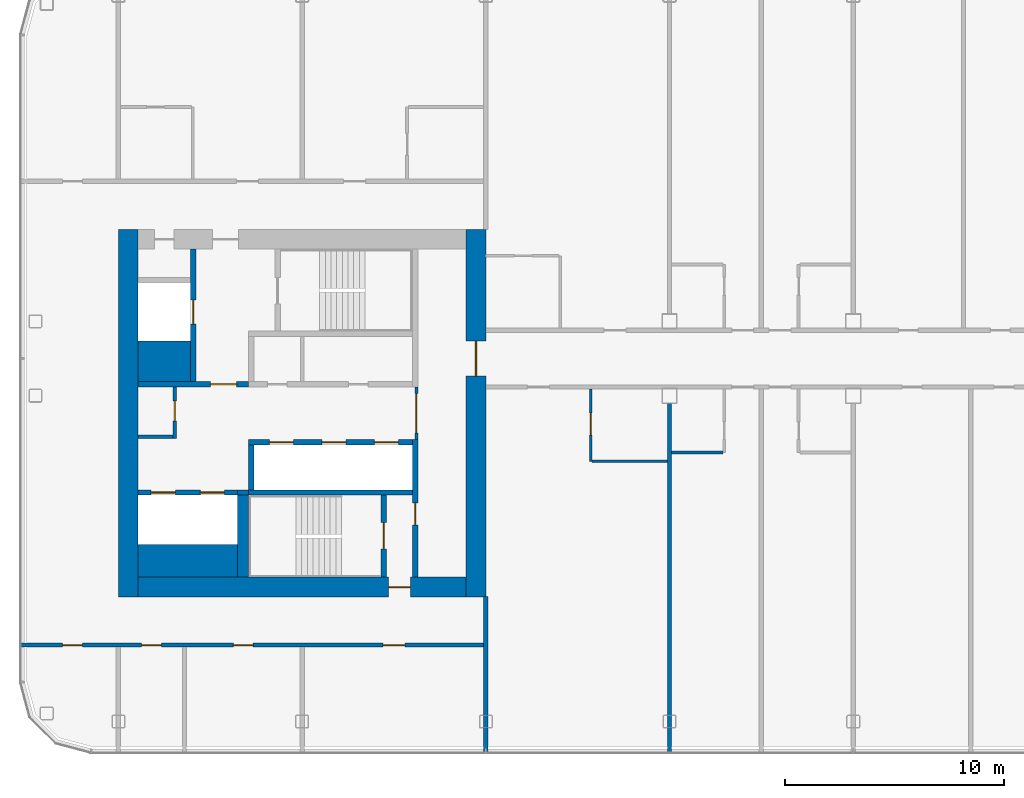
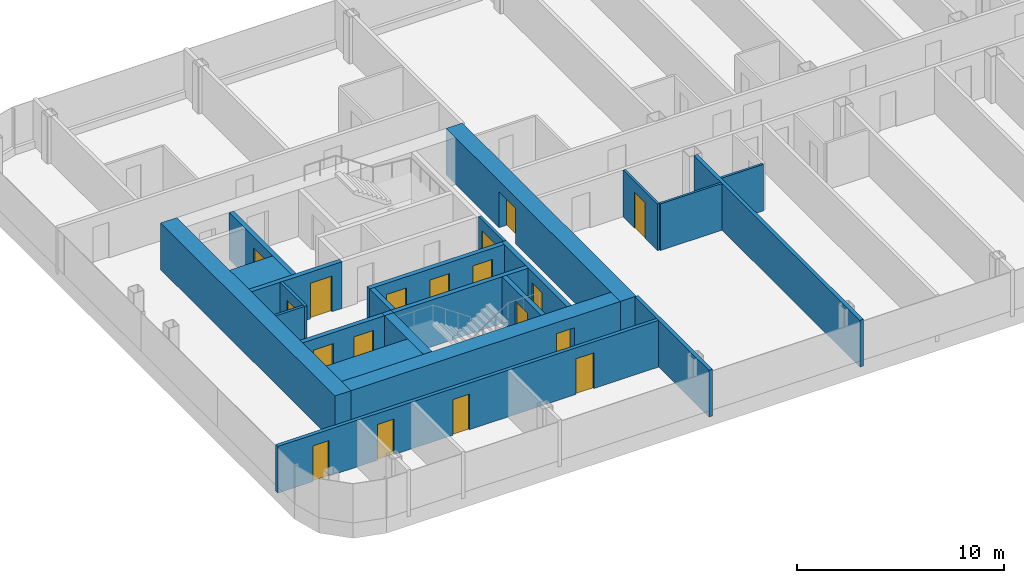
# One storey, part 13 of 26: 24 walls, 18 doors, 18 openings.
"""IFC4 building model written with IfcOpenShell, lengths in metres."""

from ifc_helpers import new_model, si_unit, direction, frame, frame_2d, origin, place, context, subcontext, project, spatial, rectangle, extrude, material, layer, layer_set, type_object, element, fill, save


model = new_model("IFC4")

# Units and contexts
model_context = context("Model", 3, precision=1e-05, world=origin(), true_north=direction((0.0, 1.0)))
body_context = subcontext(model_context, "Body", "Model", "MODEL_VIEW")
ifc_project = project(units=[si_unit("LENGTHUNIT", "METRE"), si_unit("AREAUNIT", "SQUARE_METRE"), si_unit("VOLUMEUNIT", "CUBIC_METRE"), si_unit("PLANEANGLEUNIT", "RADIAN"), si_unit("MASSUNIT", "GRAM", prefix="KILO")], contexts=[model_context])

# Site, building, storey
site_placement = place(None, origin())
site = spatial("IfcSite", under=ifc_project, at=site_placement, CompositionType="ELEMENT")
building_placement = place(site_placement, origin())
building = spatial("IfcBuilding", under=site, at=building_placement, Name="Hakoniwa Tower and Hamabe Station Hall", CompositionType="ELEMENT")
storey_placement = place(building_placement, frame((0.0, 0.0, 209.0)))
storey = spatial("IfcBuildingStorey", under=building, at=storey_placement, Name="L59", CompositionType="ELEMENT", Elevation=209.0)

# Walls
ifc_material_1 = material(Name="Gypsum board partition", Category="gypsum")
ifc_layer_1 = layer(ifc_material_1, 0.125)
ifc_layer_set_1 = layer_set([ifc_layer_1], Name="Bathroom Partition 125")
wall_type_1 = type_object("IfcWallType", Name="Bathroom Partition 125", PredefinedType="PARTITIONING", material=ifc_layer_set_1)
wall_1_placement = place(storey_placement, frame((-11.9375, -2.199951171875, 0.0), z_axis=(0.0, 0.0, 1.0), x_axis=(1.0, 0.0, 0.0)))
element("IfcWall", 1, at=wall_1_placement, inside=storey, type_object=wall_type_1, Name="GW-L59-003", PredefinedType="PARTITIONING", context=body_context, shape_type="SweptSolid", body=[
    extrude(rectangle(XDim=3.4375, YDim=0.125, at=frame_2d((1.71875, 0.0))), origin(), (0.0, 0.0, 1.0), 2.75),
])
wall_2_placement = place(storey_placement, frame((-8.300048828125, -1.800048828125, 0.0), z_axis=(0.0, 0.0, 1.0), x_axis=(1.0, 0.0, 0.0)))
element("IfcWall", 2, at=wall_2_placement, inside=storey, type_object=wall_type_1, Name="GW-L59-004", PredefinedType="PARTITIONING", context=body_context, shape_type="SweptSolid", body=[
    extrude(rectangle(XDim=2.337646484375, YDim=0.125, at=frame_2d((1.1689453125, 0.0))), origin(), (0.0, 0.0, 1.0), 2.75),
])

# Wall, opening, door
wall_3_placement = place(storey_placement, frame((-12.0, -2.199951171875, 0.0), z_axis=(0.0, 0.0, 1.0), x_axis=(0.0, 1.0, 0.0)))
wall_3 = element("IfcWall", 3, at=wall_3_placement, inside=storey, type_object=wall_type_1, Name="GW-L59-032", PredefinedType="PARTITIONING", context=body_context, shape_type="SweptSolid", body=[
    extrude(rectangle(XDim=3.300048828125, YDim=0.125, at=frame_2d((1.64990234375, 0.0))), origin(), (0.0, 0.0, 1.0), 2.75),
])
opening_1_placement = place(wall_3_placement, frame((1.199951171875, 0.0, 0.0)))
opening_1 = element("IfcOpeningElement", 4, at=opening_1_placement, cuts=wall_3, Name="Opening GD-G4C1-35", PredefinedType="OPENING", context=body_context, shape_type="SweptSolid", body=[
    extrude(rectangle(XDim=1.0, YDim=2.10009765625, at=frame_2d((0.5, 1.050048828125))), frame((0.0, 0.072509765625, 0.0), z_axis=(0.0, -1.0, 0.0), x_axis=(1.0, 0.0, 0.0)), (0.0, 0.0, 1.0), 0.14501953125),
])
ifc_material_2 = material(Name="Timber door leaf", Category="wood")
door_type_1 = type_object("IfcDoorType", Name="Accessible Bathroom Door 1000", OperationType="SINGLE_SWING_LEFT", PredefinedType="DOOR", material=ifc_material_2)
door_1_placement = place(opening_1_placement, origin())
door_1 = element("IfcDoor", 5, at=door_1_placement, inside=storey, type_object=door_type_1, Name="Door GD-G4C1-35", OperationType="SINGLE_SWING_RIGHT", OverallHeight=2.10009765625, OverallWidth=1.0, PredefinedType="DOOR", context=body_context, shape_type="SweptSolid", body=[
    extrude(rectangle(XDim=1.0, YDim=2.10009765625, at=frame_2d((0.5, 1.050048828125))), frame((0.0, 0.02490234375, 0.0), z_axis=(0.0, -1.0, 0.0), x_axis=(1.0, 0.0, 0.0)), (0.0, 0.0, 1.0), 0.050048828125),
])
fill(opening_1, door_1)

ifc_material_3 = material(Name="Gypsum board partition")
ifc_layer_2 = layer(ifc_material_3, 0.14990234375)
ifc_layer_set_2 = layer_set([ifc_layer_2], Name="CORE PARTITION 150 EI 60")
wall_type_2 = type_object("IfcWallType", Name="CORE PARTITION 150 EI 60", PredefinedType="PARTITIONING", material=ifc_layer_set_2)
wall_4_placement = place(storey_placement, frame((-19.97509765625, -1.199951171875, 0.0), z_axis=(0.0, 0.0, 1.0), x_axis=(0.0, 1.0, 0.0)))
wall_4 = element("IfcWall", 6, at=wall_4_placement, inside=storey, type_object=wall_type_2, Name="Core partition PL0 west", PredefinedType="PARTITIONING", context=body_context, shape_type="SweptSolid", body=[
    extrude(rectangle(XDim=2.39990234375, YDim=0.14990234375, at=frame_2d((1.199951171875, 0.0))), origin(), (0.0, 0.0, 1.0), 2.75),
])
opening_2_placement = place(wall_4_placement, frame((0.300048828125, 0.0, 0.0)))
opening_2 = element("IfcOpeningElement", 7, at=opening_2_placement, cuts=wall_4, Name="Opening CD-W-LP0-18", PredefinedType="OPENING", context=body_context, shape_type="SweptSolid", body=[
    extrude(rectangle(XDim=1.800048828125, YDim=2.10009765625, at=frame_2d((0.89990234375, 1.050048828125))), frame((0.0, 0.0849609375, 0.0), z_axis=(0.0, -1.0, 0.0), x_axis=(1.0, 0.0, 0.0)), (0.0, 0.0, 1.0), 0.169921875),
])
ifc_material_4 = material(Name="Steel fire door", Category="steel")
door_type_2 = type_object("IfcDoorType", Name="CORE DOOR 1800 FD60", OperationType="DOUBLE_DOOR_SINGLE_SWING", PredefinedType="DOOR", material=ifc_material_4)
door_2_placement = place(opening_2_placement, origin())
door_2 = element("IfcDoor", 8, at=door_2_placement, inside=storey, type_object=door_type_2, Name="Lift lobby partition door", OperationType="DOUBLE_DOOR_SINGLE_SWING", OverallHeight=2.10009765625, OverallWidth=1.800048828125, PredefinedType="DOOR", context=body_context, shape_type="SweptSolid", body=[
    extrude(rectangle(XDim=1.800048828125, YDim=2.10009765625, at=frame_2d((0.89990234375, 1.050048828125))), frame((0.0, 0.02490234375, 0.0), z_axis=(0.0, -1.0, 0.0), x_axis=(1.0, 0.0, 0.0)), (0.0, 0.0, 1.0), 0.050048828125),
])
fill(opening_2, door_2)

wall_5_placement = place(storey_placement, frame((-31.02490234375, -1.14990234375, 0.0), z_axis=(0.0, 0.0, 1.0), x_axis=(0.0, 1.0, 0.0)))
wall_5 = element("IfcWall", 9, at=wall_5_placement, inside=storey, type_object=wall_type_2, Name="Core partition PW0 west", PredefinedType="PARTITIONING", context=body_context, shape_type="SweptSolid", body=[
    extrude(rectangle(XDim=2.349853515625, YDim=0.14990234375, at=frame_2d((1.1748046875, 0.0))), origin(), (0.0, 0.0, 1.0), 2.75),
])
opening_3_placement = place(wall_5_placement, frame((0.800048828125, 0.0, 0.0)))
opening_3 = element("IfcOpeningElement", 10, at=opening_3_placement, cuts=wall_5, Name="Opening CD-W-RM1-9", PredefinedType="OPENING", context=body_context, shape_type="SweptSolid", body=[
    extrude(rectangle(XDim=0.89990234375, YDim=2.10009765625, at=frame_2d((0.449951171875, 1.050048828125))), frame((0.0, 0.0849609375, 0.0), z_axis=(0.0, -1.0, 0.0), x_axis=(1.0, 0.0, 0.0)), (0.0, 0.0, 1.0), 0.169921875),
])
ifc_material_5 = material(Name="Steel fire door", Category="steel")
door_type_3 = type_object("IfcDoorType", Name="CORE DOOR 900 FD30", OperationType="NOTDEFINED", PredefinedType="DOOR", material=ifc_material_5)
door_3_placement = place(opening_3_placement, origin())
door_3 = element("IfcDoor", 11, at=door_3_placement, inside=storey, type_object=door_type_3, Name="Store room door", OperationType="SINGLE_SWING_RIGHT", OverallHeight=2.10009765625, OverallWidth=0.89990234375, PredefinedType="DOOR", context=body_context, shape_type="SweptSolid", body=[
    extrude(rectangle(XDim=0.89990234375, YDim=2.10009765625, at=frame_2d((0.449951171875, 1.050048828125))), frame((0.0, 0.02490234375, 0.0), z_axis=(0.0, -1.0, 0.0), x_axis=(1.0, 0.0, 0.0)), (0.0, 0.0, 1.0), 0.050048828125),
])
fill(opening_3, door_3)

# Wall
wall_6_placement = place(storey_placement, frame((-32.699951171875, -1.074951171875, 0.0), z_axis=(0.0, 0.0, 1.0), x_axis=(1.0, 0.0, 0.0)))
element("IfcWall", 12, at=wall_6_placement, inside=storey, type_object=wall_type_2, Name="Core partition PS west", PredefinedType="PARTITIONING", context=body_context, shape_type="SweptSolid", body=[
    extrude(rectangle(XDim=1.599853515625, YDim=0.14990234375, at=frame_2d((0.7998046875, 0.0))), origin(), (0.0, 0.0, 1.0), 2.75),
])

# Wall, opening, door
ifc_material_6 = material(Name="Concrete C60", Category="concrete")
ifc_layer_3 = layer(ifc_material_6, 0.89990234375)
ifc_layer_set_3 = layer_set([ifc_layer_3], Name="CORE WALL 900 C60")
wall_type_3 = type_object("IfcWallType", Name="CORE WALL 900 C60", PredefinedType="SHEAR", material=ifc_layer_set_3)
wall_7_placement = place(storey_placement, frame((-17.25, -8.39990234375, 0.0), z_axis=(0.0, 0.0, 1.0), x_axis=(0.0, 1.0, 0.0)))
wall_7 = element("IfcWall", 13, at=wall_7_placement, inside=storey, type_object=wall_type_3, Name="Core wall INNER west", PredefinedType="SHEAR", context=body_context, shape_type="SweptSolid", body=[
    extrude(rectangle(XDim=16.7998046875, YDim=0.89990234375, at=frame_2d((8.39990234375, 0.0))), origin(), (0.0, 0.0, 1.0), 2.75),
])
opening_4_placement = place(wall_7_placement, frame((10.10009765625, 0.0, 0.0)))
opening_4 = element("IfcOpeningElement", 14, at=opening_4_placement, cuts=wall_7, Name="Opening CD-W-IN1-16", PredefinedType="OPENING", context=body_context, shape_type="SweptSolid", body=[
    extrude(rectangle(XDim=1.60009765625, YDim=2.10009765625, at=frame_2d((0.800048828125, 1.050048828125))), frame((0.0, 0.4599609375, 0.0), z_axis=(0.0, -1.0, 0.0), x_axis=(1.0, 0.0, 0.0)), (0.0, 0.0, 1.0), 0.919921875),
])
ifc_material_7 = material(Name="Steel fire door", Category="steel")
door_type_4 = type_object("IfcDoorType", Name="CORE DOOR 1600 FD60", OperationType="DOUBLE_DOOR_SINGLE_SWING", PredefinedType="DOOR", material=ifc_material_7)
door_4_placement = place(opening_4_placement, origin())
door_4 = element("IfcDoor", 15, at=door_4_placement, inside=storey, type_object=door_type_4, Name="Lift lobby door", OperationType="DOUBLE_DOOR_SINGLE_SWING", OverallHeight=2.10009765625, OverallWidth=1.60009765625, PredefinedType="DOOR", context=body_context, shape_type="SweptSolid", body=[
    extrude(rectangle(XDim=1.60009765625, YDim=2.10009765625, at=frame_2d((0.800048828125, 1.050048828125))), frame((0.0, 0.02490234375, 0.0), z_axis=(0.0, -1.0, 0.0), x_axis=(1.0, 0.0, 0.0)), (0.0, 0.0, 1.0), 0.050048828125),
])
fill(opening_4, door_4)

# Wall
wall_8_placement = place(storey_placement, frame((-33.14990234375, -8.39990234375, 0.0), z_axis=(0.0, 0.0, 1.0), x_axis=(0.0, 1.0, 0.0)))
element("IfcWall", 16, at=wall_8_placement, inside=storey, type_object=wall_type_3, Name="Core wall OUTER west", PredefinedType="SHEAR", context=body_context, shape_type="SweptSolid", body=[
    extrude(rectangle(XDim=16.7998046875, YDim=0.89990234375, at=frame_2d((8.39990234375, 0.0))), origin(), (0.0, 0.0, 1.0), 2.75),
])

# Wall, opening, door
wall_9_placement = place(storey_placement, frame((-32.699951171875, -7.949951171875, 0.0), z_axis=(0.0, 0.0, 1.0), x_axis=(1.0, 0.0, 0.0)))
wall_9 = element("IfcWall", 17, at=wall_9_placement, inside=storey, type_object=wall_type_3, Name="Core wall SOUTH west", PredefinedType="SHEAR", context=body_context, shape_type="SweptSolid", body=[
    extrude(rectangle(XDim=15.0, YDim=0.89990234375, at=frame_2d((7.5, 0.0))), origin(), (0.0, 0.0, 1.0), 2.75),
])
opening_5_placement = place(wall_9_placement, frame((11.449951171875, 0.0, 0.0)))
opening_5 = element("IfcOpeningElement", 18, at=opening_5_placement, cuts=wall_9, Name="Opening CD-W-FS3-10", PredefinedType="OPENING", context=body_context, shape_type="SweptSolid", body=[
    extrude(rectangle(XDim=1.0, YDim=2.10009765625, at=frame_2d((0.5, 1.050048828125))), frame((0.0, 0.4599609375, 0.0), z_axis=(0.0, -1.0, 0.0), x_axis=(1.0, 0.0, 0.0)), (0.0, 0.0, 1.0), 0.919921875),
])
ifc_material_8 = material(Name="Steel fire door", Category="steel")
door_type_5 = type_object("IfcDoorType", Name="CORE DOOR 1000 FD60", OperationType="NOTDEFINED", PredefinedType="DOOR", material=ifc_material_8)
door_5_placement = place(opening_5_placement, origin())
door_5 = element("IfcDoor", 19, at=door_5_placement, inside=storey, type_object=door_type_5, Name="Stair vestibule door", OperationType="SINGLE_SWING_RIGHT", OverallHeight=2.10009765625, OverallWidth=1.0, PredefinedType="DOOR", context=body_context, shape_type="SweptSolid", body=[
    extrude(rectangle(XDim=1.0, YDim=2.10009765625, at=frame_2d((0.5, 1.050048828125))), frame((0.0, 0.02490234375, 0.0), z_axis=(0.0, -1.0, 0.0), x_axis=(1.0, 0.0, 0.0)), (0.0, 0.0, 1.0), 0.050048828125),
])
fill(opening_5, door_5)

# Walls
ifc_material_9 = material(Name="Concrete C60", Category="concrete")
ifc_layer_4 = layer(ifc_material_9, 1.5)
ifc_layer_set_4 = layer_set([ifc_layer_4], Name="CORE WEB WALL 1500 C60")
wall_type_4 = type_object("IfcWallType", Name="CORE WEB WALL 1500 C60", PredefinedType="SHEAR", material=ifc_layer_set_4)
wall_10_placement = place(storey_placement, frame((-32.699951171875, -6.75, 0.0), z_axis=(0.0, 0.0, 1.0), x_axis=(1.0, 0.0, 0.0)))
element("IfcWall", 20, at=wall_10_placement, inside=storey, type_object=wall_type_4, Name="Core wall SER west", PredefinedType="SHEAR", context=body_context, shape_type="SweptSolid", body=[
    extrude(rectangle(XDim=4.550048828125, YDim=1.5, at=frame_2d((2.27490234375, 0.0))), origin(), (0.0, 0.0, 1.0), 2.75),
])
ifc_material_10 = material(Name="Concrete C60", Category="concrete")
ifc_layer_5 = layer(ifc_material_10, 1.85009765625)
ifc_layer_set_5 = layer_set([ifc_layer_5], Name="CORE WEB WALL 1850 C60")
wall_type_5 = type_object("IfcWallType", Name="CORE WEB WALL 1850 C60", PredefinedType="SHEAR", material=ifc_layer_set_5)
wall_11_placement = place(storey_placement, frame((-32.699951171875, 2.375, 0.0), z_axis=(0.0, 0.0, 1.0), x_axis=(1.0, 0.0, 0.0)))
element("IfcWall", 21, at=wall_11_placement, inside=storey, type_object=wall_type_5, Name="Core wall CA west", PredefinedType="SHEAR", context=body_context, shape_type="SweptSolid", body=[
    extrude(rectangle(XDim=2.39990234375, YDim=1.85009765625, at=frame_2d((1.199951171875, 0.0))), origin(), (0.0, 0.0, 1.0), 2.75),
])

# Wall, opening, door
ifc_material_11 = material(Name="Concrete C60", Category="concrete")
ifc_layer_6 = layer(ifc_material_11, 0.25)
ifc_layer_set_6 = layer_set([ifc_layer_6], Name="CORE WEB WALL 250 C60")
wall_type_6 = type_object("IfcWallType", Name="CORE WEB WALL 250 C60", PredefinedType="SHEAR", material=ifc_layer_set_6)
wall_12_placement = place(storey_placement, frame((-20.02490234375, -7.5, 0.0), z_axis=(0.0, 0.0, 1.0), x_axis=(0.0, 1.0, 0.0)))
wall_12 = element("IfcWall", 22, at=wall_12_placement, inside=storey, type_object=wall_type_6, Name="Core wall W1S west", PredefinedType="SHEAR", context=body_context, shape_type="SweptSolid", body=[
    extrude(rectangle(XDim=6.300048828125, YDim=0.25, at=frame_2d((3.14990234375, 0.0))), origin(), (0.0, 0.0, 1.0), 2.75),
])
opening_6_placement = place(wall_12_placement, frame((2.39990234375, 0.0, 0.0)))
opening_6 = element("IfcOpeningElement", 23, at=opening_6_placement, cuts=wall_12, Name="Opening CD-W-VS-10", PredefinedType="OPENING", context=body_context, shape_type="SweptSolid", body=[
    extrude(rectangle(XDim=1.0, YDim=2.10009765625, at=frame_2d((0.5, 1.050048828125))), frame((0.0, 0.135009765625, 0.0), z_axis=(0.0, -1.0, 0.0), x_axis=(1.0, 0.0, 0.0)), (0.0, 0.0, 1.0), 0.27001953125),
])
door_6_placement = place(opening_6_placement, origin())
door_6 = element("IfcDoor", 24, at=door_6_placement, inside=storey, type_object=door_type_5, Name="Stair vestibule door", OperationType="SINGLE_SWING_LEFT", OverallHeight=2.10009765625, OverallWidth=1.0, PredefinedType="DOOR", context=body_context, shape_type="SweptSolid", body=[
    extrude(rectangle(XDim=1.0, YDim=2.10009765625, at=frame_2d((0.5, 1.050048828125))), frame((0.0, 0.02490234375, 0.0), z_axis=(0.0, -1.0, 0.0), x_axis=(1.0, 0.0, 0.0)), (0.0, 0.0, 1.0), 0.050048828125),
])
fill(opening_6, door_6)

wall_13_placement = place(storey_placement, frame((-32.699951171875, 1.324951171875, 0.0), z_axis=(0.0, 0.0, 1.0), x_axis=(1.0, 0.0, 0.0)))
wall_13 = element("IfcWall", 25, at=wall_13_placement, inside=storey, type_object=wall_type_6, Name="Core wall ELN west", PredefinedType="SHEAR", context=body_context, shape_type="SweptSolid", body=[
    extrude(rectangle(XDim=5.050048828125, YDim=0.25, at=frame_2d((2.52490234375, 0.0))), origin(), (0.0, 0.0, 1.0), 2.75),
])
opening_7_placement = place(wall_13_placement, frame((3.300048828125, 0.0, 0.0)))
opening_7 = element("IfcOpeningElement", 26, at=opening_7_placement, cuts=wall_13, Name="Opening CD-W-FL-12", PredefinedType="OPENING", context=body_context, shape_type="SweptSolid", body=[
    extrude(rectangle(XDim=1.199951171875, YDim=2.10009765625, at=frame_2d((0.60009765625, 1.050048828125))), frame((0.0, 0.135009765625, 0.0), z_axis=(0.0, -1.0, 0.0), x_axis=(1.0, 0.0, 0.0)), (0.0, 0.0, 1.0), 0.27001953125),
])
ifc_material_12 = material(Name="Steel fire door", Category="steel")
door_type_6 = type_object("IfcDoorType", Name="CORE DOOR 1200 FD60", OperationType="DOUBLE_DOOR_SINGLE_SWING", PredefinedType="DOOR", material=ifc_material_12)
door_7_placement = place(opening_7_placement, origin())
door_7 = element("IfcDoor", 27, at=door_7_placement, inside=storey, type_object=door_type_6, Name="Stair vestibule door to the fire-fighting lobby", OperationType="DOUBLE_DOOR_SINGLE_SWING", OverallHeight=2.10009765625, OverallWidth=1.199951171875, PredefinedType="DOOR", context=body_context, shape_type="SweptSolid", body=[
    extrude(rectangle(XDim=1.199951171875, YDim=2.10009765625, at=frame_2d((0.60009765625, 1.050048828125))), frame((0.0, 0.02490234375, 0.0), z_axis=(0.0, -1.0, 0.0), x_axis=(1.0, 0.0, 0.0)), (0.0, 0.0, 1.0), 0.050048828125),
])
fill(opening_7, door_7)

wall_14_placement = place(storey_placement, frame((-30.175048828125, 1.449951171875, 0.0), z_axis=(0.0, 0.0, 1.0), x_axis=(0.0, 1.0, 0.0)))
wall_14 = element("IfcWall", 28, at=wall_14_placement, inside=storey, type_object=wall_type_6, Name="Core wall FFF west", PredefinedType="SHEAR", context=body_context, shape_type="SweptSolid", body=[
    extrude(rectangle(XDim=6.050048828125, YDim=0.25, at=frame_2d((3.02490234375, 0.0))), origin(), (0.0, 0.0, 1.0), 2.75),
])
opening_8_placement = place(wall_14_placement, frame((2.625, 0.0, 0.0)))
opening_8 = element("IfcOpeningElement", 29, at=opening_8_placement, cuts=wall_14, Name="Opening LD-FF1", PredefinedType="OPENING", context=body_context, shape_type="SweptSolid", body=[
    extrude(rectangle(XDim=1.10009765625, YDim=2.10009765625, at=frame_2d((0.550048828125, 1.050048828125))), frame((0.0, 0.135009765625, 0.0), z_axis=(0.0, -1.0, 0.0), x_axis=(1.0, 0.0, 0.0)), (0.0, 0.0, 1.0), 0.27001953125),
])
ifc_material_13 = material(Name="Stainless steel SUS304", Category="steel")
door_type_7 = type_object("IfcDoorType", Name="LIFT LANDING DOOR 1100 FD60", OperationType="DOUBLE_DOOR_SLIDING", PredefinedType="DOOR", material=ifc_material_13)
door_8_placement = place(opening_8_placement, origin())
door_8 = element("IfcDoor", 30, at=door_8_placement, inside=storey, type_object=door_type_7, Name="Lift landing door FF1 L59", OperationType="DOUBLE_DOOR_SLIDING", OverallHeight=2.10009765625, OverallWidth=1.10009765625, PredefinedType="DOOR", context=body_context, shape_type="SweptSolid", body=[
    extrude(rectangle(XDim=1.10009765625, YDim=2.10009765625, at=frame_2d((0.550048828125, 1.050048828125))), frame((0.0, 0.02490234375, 0.0), z_axis=(0.0, -1.0, 0.0), x_axis=(1.0, 0.0, 0.0)), (0.0, 0.0, 1.0), 0.050048828125),
])
fill(opening_8, door_8)

# Wall, openings, doors
wall_15_placement = place(storey_placement, frame((-27.64990234375, -1.324951171875, 0.0), z_axis=(0.0, 0.0, 1.0), x_axis=(1.0, 0.0, 0.0)))
wall_15 = element("IfcWall", 31, at=wall_15_placement, inside=storey, type_object=wall_type_6, Name="Core wall SF west", PredefinedType="SHEAR", context=body_context, shape_type="SweptSolid", body=[
    extrude(rectangle(XDim=7.5, YDim=0.25, at=frame_2d((3.75, 0.0))), origin(), (0.0, 0.0, 1.0), 2.75),
])
opening_9_placement = place(wall_15_placement, frame((5.75, 0.0, 0.0)))
opening_9 = element("IfcOpeningElement", 32, at=opening_9_placement, cuts=wall_15, Name="Opening LD-HR1", PredefinedType="OPENING", context=body_context, shape_type="SweptSolid", body=[
    extrude(rectangle(XDim=1.10009765625, YDim=2.10009765625, at=frame_2d((0.550048828125, 1.050048828125))), frame((0.0, 0.135009765625, 0.0), z_axis=(0.0, -1.0, 0.0), x_axis=(1.0, 0.0, 0.0)), (0.0, 0.0, 1.0), 0.27001953125),
])
opening_10_placement = place(wall_15_placement, frame((3.35009765625, 0.0, 0.0)))
opening_10 = element("IfcOpeningElement", 33, at=opening_10_placement, cuts=wall_15, Name="Opening LD-HR2", PredefinedType="OPENING", context=body_context, shape_type="SweptSolid", body=[
    extrude(rectangle(XDim=1.10009765625, YDim=2.10009765625, at=frame_2d((0.550048828125, 1.050048828125))), frame((0.0, 0.135009765625, 0.0), z_axis=(0.0, -1.0, 0.0), x_axis=(1.0, 0.0, 0.0)), (0.0, 0.0, 1.0), 0.27001953125),
])
opening_11_placement = place(wall_15_placement, frame((0.949951171875, 0.0, 0.0)))
opening_11 = element("IfcOpeningElement", 34, at=opening_11_placement, cuts=wall_15, Name="Opening LD-HR3", PredefinedType="OPENING", context=body_context, shape_type="SweptSolid", body=[
    extrude(rectangle(XDim=1.10009765625, YDim=2.10009765625, at=frame_2d((0.550048828125, 1.050048828125))), frame((0.0, 0.135009765625, 0.0), z_axis=(0.0, -1.0, 0.0), x_axis=(1.0, 0.0, 0.0)), (0.0, 0.0, 1.0), 0.27001953125),
])
door_9_placement = place(opening_9_placement, origin())
door_9 = element("IfcDoor", 35, at=door_9_placement, inside=storey, type_object=door_type_7, Name="Lift landing door HR1 L59", OperationType="DOUBLE_DOOR_SLIDING", OverallHeight=2.10009765625, OverallWidth=1.10009765625, PredefinedType="DOOR", context=body_context, shape_type="SweptSolid", body=[
    extrude(rectangle(XDim=1.10009765625, YDim=2.10009765625, at=frame_2d((0.550048828125, 1.050048828125))), frame((0.0, 0.02490234375, 0.0), z_axis=(0.0, -1.0, 0.0), x_axis=(1.0, 0.0, 0.0)), (0.0, 0.0, 1.0), 0.050048828125),
])
fill(opening_9, door_9)
door_10_placement = place(opening_10_placement, origin())
door_10 = element("IfcDoor", 36, at=door_10_placement, inside=storey, type_object=door_type_7, Name="Lift landing door HR2 L59", OperationType="DOUBLE_DOOR_SLIDING", OverallHeight=2.10009765625, OverallWidth=1.10009765625, PredefinedType="DOOR", context=body_context, shape_type="SweptSolid", body=[
    extrude(rectangle(XDim=1.10009765625, YDim=2.10009765625, at=frame_2d((0.550048828125, 1.050048828125))), frame((0.0, 0.02490234375, 0.0), z_axis=(0.0, -1.0, 0.0), x_axis=(1.0, 0.0, 0.0)), (0.0, 0.0, 1.0), 0.050048828125),
])
fill(opening_10, door_10)
door_11_placement = place(opening_11_placement, origin())
door_11 = element("IfcDoor", 37, at=door_11_placement, inside=storey, type_object=door_type_7, Name="Lift landing door HR3 L59", OperationType="DOUBLE_DOOR_SLIDING", OverallHeight=2.10009765625, OverallWidth=1.10009765625, PredefinedType="DOOR", context=body_context, shape_type="SweptSolid", body=[
    extrude(rectangle(XDim=1.10009765625, YDim=2.10009765625, at=frame_2d((0.550048828125, 1.050048828125))), frame((0.0, 0.02490234375, 0.0), z_axis=(0.0, -1.0, 0.0), x_axis=(1.0, 0.0, 0.0)), (0.0, 0.0, 1.0), 0.050048828125),
])
fill(opening_11, door_11)

# Walls
wall_16_placement = place(storey_placement, frame((-27.52490234375, -3.5, 0.0), z_axis=(0.0, 0.0, 1.0), x_axis=(0.0, 1.0, 0.0)))
element("IfcWall", 38, at=wall_16_placement, inside=storey, type_object=wall_type_6, Name="Core wall SE west", PredefinedType="SHEAR", context=body_context, shape_type="SweptSolid", body=[
    extrude(rectangle(XDim=2.050048828125, YDim=0.25, at=frame_2d((1.02490234375, 0.0))), origin(), (0.0, 0.0, 1.0), 2.75),
])
wall_17_placement = place(storey_placement, frame((-27.64990234375, -3.625, 0.0), z_axis=(0.0, 0.0, 1.0), x_axis=(1.0, 0.0, 0.0)))
element("IfcWall", 39, at=wall_17_placement, inside=storey, type_object=wall_type_6, Name="Core wall SR west", PredefinedType="SHEAR", context=body_context, shape_type="SweptSolid", body=[
    extrude(rectangle(XDim=7.5, YDim=0.25, at=frame_2d((3.75, 0.0))), origin(), (0.0, 0.0, 1.0), 2.75),
])

# Wall, opening, door
wall_18_placement = place(storey_placement, frame((-21.47509765625, -7.5, 0.0), z_axis=(0.0, 0.0, 1.0), x_axis=(0.0, 1.0, 0.0)))
wall_18 = element("IfcWall", 40, at=wall_18_placement, inside=storey, type_object=wall_type_6, Name="Core wall VE west", PredefinedType="SHEAR", context=body_context, shape_type="SweptSolid", body=[
    extrude(rectangle(XDim=3.75, YDim=0.25, at=frame_2d((1.875, 0.0))), origin(), (0.0, 0.0, 1.0), 2.75),
])
opening_12_placement = place(wall_18_placement, frame((1.300048828125, 0.0, 0.0)))
opening_12 = element("IfcOpeningElement", 41, at=opening_12_placement, cuts=wall_18, Name="Opening CD-W-SS-12", PredefinedType="OPENING", context=body_context, shape_type="SweptSolid", body=[
    extrude(rectangle(XDim=1.199951171875, YDim=2.10009765625, at=frame_2d((0.60009765625, 1.050048828125))), frame((0.0, 0.135009765625, 0.0), z_axis=(0.0, -1.0, 0.0), x_axis=(1.0, 0.0, 0.0)), (0.0, 0.0, 1.0), 0.27001953125),
])
door_12_placement = place(opening_12_placement, origin())
door_12 = element("IfcDoor", 42, at=door_12_placement, inside=storey, type_object=door_type_6, Name="Escape stair door", OperationType="DOUBLE_DOOR_SINGLE_SWING", OverallHeight=2.10009765625, OverallWidth=1.199951171875, PredefinedType="DOOR", context=body_context, shape_type="SweptSolid", body=[
    extrude(rectangle(XDim=1.199951171875, YDim=2.10009765625, at=frame_2d((0.60009765625, 1.050048828125))), frame((0.0, 0.02490234375, 0.0), z_axis=(0.0, -1.0, 0.0), x_axis=(1.0, 0.0, 0.0)), (0.0, 0.0, 1.0), 0.050048828125),
])
fill(opening_12, door_12)

# Wall, openings, doors
wall_19_placement = place(storey_placement, frame((-32.699951171875, -3.625, 0.0), z_axis=(0.0, 0.0, 1.0), x_axis=(1.0, 0.0, 0.0)))
wall_19 = element("IfcWall", 43, at=wall_19_placement, inside=storey, type_object=wall_type_6, Name="Core wall SEF west", PredefinedType="SHEAR", context=body_context, shape_type="SweptSolid", body=[
    extrude(rectangle(XDim=4.550048828125, YDim=0.25, at=frame_2d((2.27490234375, 0.0))), origin(), (0.0, 0.0, 1.0), 2.75),
])
opening_13_placement = place(wall_19_placement, frame((2.85009765625, 0.0, 0.0)))
opening_13 = element("IfcOpeningElement", 44, at=opening_13_placement, cuts=wall_19, Name="Opening LD-SV1", PredefinedType="OPENING", context=body_context, shape_type="SweptSolid", body=[
    extrude(rectangle(XDim=1.10009765625, YDim=2.10009765625, at=frame_2d((0.550048828125, 1.050048828125))), frame((0.0, 0.135009765625, 0.0), z_axis=(0.0, -1.0, 0.0), x_axis=(1.0, 0.0, 0.0)), (0.0, 0.0, 1.0), 0.27001953125),
])
opening_14_placement = place(wall_19_placement, frame((0.60009765625, 0.0, 0.0)))
opening_14 = element("IfcOpeningElement", 45, at=opening_14_placement, cuts=wall_19, Name="Opening LD-SV2", PredefinedType="OPENING", context=body_context, shape_type="SweptSolid", body=[
    extrude(rectangle(XDim=1.10009765625, YDim=2.10009765625, at=frame_2d((0.550048828125, 1.050048828125))), frame((0.0, 0.135009765625, 0.0), z_axis=(0.0, -1.0, 0.0), x_axis=(1.0, 0.0, 0.0)), (0.0, 0.0, 1.0), 0.27001953125),
])
door_13_placement = place(opening_13_placement, origin())
door_13 = element("IfcDoor", 46, at=door_13_placement, inside=storey, type_object=door_type_7, Name="Lift landing door SV1 L59", OperationType="DOUBLE_DOOR_SLIDING", OverallHeight=2.10009765625, OverallWidth=1.10009765625, PredefinedType="DOOR", context=body_context, shape_type="SweptSolid", body=[
    extrude(rectangle(XDim=1.10009765625, YDim=2.10009765625, at=frame_2d((0.550048828125, 1.050048828125))), frame((0.0, 0.02490234375, 0.0), z_axis=(0.0, -1.0, 0.0), x_axis=(1.0, 0.0, 0.0)), (0.0, 0.0, 1.0), 0.050048828125),
])
fill(opening_13, door_13)
door_14_placement = place(opening_14_placement, origin())
door_14 = element("IfcDoor", 47, at=door_14_placement, inside=storey, type_object=door_type_7, Name="Lift landing door SV2 L59", OperationType="DOUBLE_DOOR_SLIDING", OverallHeight=2.10009765625, OverallWidth=1.10009765625, PredefinedType="DOOR", context=body_context, shape_type="SweptSolid", body=[
    extrude(rectangle(XDim=1.10009765625, YDim=2.10009765625, at=frame_2d((0.550048828125, 1.050048828125))), frame((0.0, 0.02490234375, 0.0), z_axis=(0.0, -1.0, 0.0), x_axis=(1.0, 0.0, 0.0)), (0.0, 0.0, 1.0), 0.050048828125),
])
fill(opening_14, door_14)

# Walls
wall_20_placement = place(storey_placement, frame((-28.14990234375, -3.625, 0.0), z_axis=(0.0, 0.0, 1.0), x_axis=(1.0, 0.0, 0.0)))
element("IfcWall", 48, at=wall_20_placement, inside=storey, type_object=wall_type_6, Name="Core wall SRK west", PredefinedType="SHEAR", context=body_context, shape_type="SweptSolid", body=[
    extrude(rectangle(XDim=0.5, YDim=0.25, at=frame_2d((0.25, 0.0))), origin(), (0.0, 0.0, 1.0), 2.75),
])
ifc_material_14 = material(Name="Concrete C60", Category="concrete")
ifc_layer_7 = layer(ifc_material_14, 0.5)
ifc_layer_set_7 = layer_set([ifc_layer_7], Name="CORE WEB WALL 500 C60")
wall_type_7 = type_object("IfcWallType", Name="CORE WEB WALL 500 C60", PredefinedType="SHEAR", material=ifc_layer_set_7)
wall_21_placement = place(storey_placement, frame((-27.89990234375, -7.5, 0.0), z_axis=(0.0, 0.0, 1.0), x_axis=(0.0, 1.0, 0.0)))
element("IfcWall", 49, at=wall_21_placement, inside=storey, type_object=wall_type_7, Name="Core wall SSE west", PredefinedType="SHEAR", context=body_context, shape_type="SweptSolid", body=[
    extrude(rectangle(XDim=3.75, YDim=0.5, at=frame_2d((1.875, 0.0))), origin(), (0.0, 0.0, 1.0), 2.75),
])

# Wall, openings, doors
ifc_material_15 = material(Name="Fire-rated gypsum board partition", Category="gypsum")
ifc_layer_8 = layer(ifc_material_15, 0.199951171875)
ifc_layer_set_8 = layer_set([ifc_layer_8], Name="Corridor Wall 200")
wall_type_8 = type_object("IfcWallType", Name="Corridor Wall 200", PredefinedType="PARTITIONING", material=ifc_layer_set_8)
wall_22_placement = place(storey_placement, frame((-38.10009765625, -10.60009765625, 0.0), z_axis=(0.0, 0.0, 1.0), x_axis=(1.0, 0.0, 0.0)))
wall_22 = element("IfcWall", 50, at=wall_22_placement, inside=storey, type_object=wall_type_8, Name="GW-L59-001", PredefinedType="PARTITIONING", context=body_context, shape_type="SweptSolid", body=[
    extrude(rectangle(XDim=21.300048828125, YDim=0.199951171875, at=frame_2d((10.64990234375, 0.0))), origin(), (0.0, 0.0, 1.0), 2.75),
])
opening_15_placement = place(wall_22_placement, frame((1.949951171875, 0.0, 0.0)))
opening_15 = element("IfcOpeningElement", 51, at=opening_15_placement, cuts=wall_22, Name="Opening GD-G4C1-01", PredefinedType="OPENING", context=body_context, shape_type="SweptSolid", body=[
    extrude(rectangle(XDim=0.89990234375, YDim=2.10009765625, at=frame_2d((0.449951171875, 1.050048828125))), frame((0.0, 0.10986328125, 0.0), z_axis=(0.0, -1.0, 0.0), x_axis=(1.0, 0.0, 0.0)), (0.0, 0.0, 1.0), 0.219970703125),
])
opening_16_placement = place(wall_22_placement, frame((5.56005859375, 0.0, 0.0)))
opening_16 = element("IfcOpeningElement", 52, at=opening_16_placement, cuts=wall_22, Name="Opening GD-G4C1-02", PredefinedType="OPENING", context=body_context, shape_type="SweptSolid", body=[
    extrude(rectangle(XDim=0.89990234375, YDim=2.10009765625, at=frame_2d((0.449951171875, 1.050048828125))), frame((0.0, 0.10986328125, 0.0), z_axis=(0.0, -1.0, 0.0), x_axis=(1.0, 0.0, 0.0)), (0.0, 0.0, 1.0), 0.219970703125),
])
opening_17_placement = place(wall_22_placement, frame((9.760009765625, 0.0, 0.0)))
opening_17 = element("IfcOpeningElement", 53, at=opening_17_placement, cuts=wall_22, Name="Opening GD-G4C1-03", PredefinedType="OPENING", context=body_context, shape_type="SweptSolid", body=[
    extrude(rectangle(XDim=0.89990234375, YDim=2.10009765625, at=frame_2d((0.449951171875, 1.050048828125))), frame((0.0, 0.10986328125, 0.0), z_axis=(0.0, -1.0, 0.0), x_axis=(1.0, 0.0, 0.0)), (0.0, 0.0, 1.0), 0.219970703125),
])
opening_18_placement = place(wall_22_placement, frame((16.60009765625, 0.0, 0.0)))
opening_18 = element("IfcOpeningElement", 54, at=opening_18_placement, cuts=wall_22, Name="Opening GD-G4C1-04", PredefinedType="OPENING", context=body_context, shape_type="SweptSolid", body=[
    extrude(rectangle(XDim=1.0, YDim=2.10009765625, at=frame_2d((0.5, 1.050048828125))), frame((0.0, 0.10986328125, 0.0), z_axis=(0.0, -1.0, 0.0), x_axis=(1.0, 0.0, 0.0)), (0.0, 0.0, 1.0), 0.219970703125),
])
ifc_material_16 = material(Name="Timber door leaf", Category="wood")
door_type_8 = type_object("IfcDoorType", Name="Guest Entrance Door 1000", OperationType="SINGLE_SWING_LEFT", PredefinedType="DOOR", material=ifc_material_16)
door_15_placement = place(opening_18_placement, origin())
door_15 = element("IfcDoor", 55, at=door_15_placement, inside=storey, type_object=door_type_8, Name="Door GD-G4C1-04", OperationType="SINGLE_SWING_RIGHT", OverallHeight=2.10009765625, OverallWidth=1.0, PredefinedType="DOOR", context=body_context, shape_type="SweptSolid", body=[
    extrude(rectangle(XDim=1.0, YDim=2.10009765625, at=frame_2d((0.5, 1.050048828125))), frame((0.0, 0.02490234375, 0.0), z_axis=(0.0, -1.0, 0.0), x_axis=(1.0, 0.0, 0.0)), (0.0, 0.0, 1.0), 0.050048828125),
])
fill(opening_18, door_15)
ifc_material_17 = material(Name="Timber door leaf", Category="wood")
door_type_9 = type_object("IfcDoorType", Name="Service Door 900", OperationType="SINGLE_SWING_LEFT", PredefinedType="DOOR", material=ifc_material_17)
door_16_placement = place(opening_15_placement, origin())
door_16 = element("IfcDoor", 56, at=door_16_placement, inside=storey, type_object=door_type_9, Name="Door GD-G4C1-01", OperationType="SINGLE_SWING_RIGHT", OverallHeight=2.10009765625, OverallWidth=0.89990234375, PredefinedType="DOOR", context=body_context, shape_type="SweptSolid", body=[
    extrude(rectangle(XDim=0.89990234375, YDim=2.10009765625, at=frame_2d((0.449951171875, 1.050048828125))), frame((0.0, 0.02490234375, 0.0), z_axis=(0.0, -1.0, 0.0), x_axis=(1.0, 0.0, 0.0)), (0.0, 0.0, 1.0), 0.050048828125),
])
fill(opening_15, door_16)
door_17_placement = place(opening_16_placement, origin())
door_17 = element("IfcDoor", 57, at=door_17_placement, inside=storey, type_object=door_type_9, Name="Door GD-G4C1-02", OperationType="SINGLE_SWING_RIGHT", OverallHeight=2.10009765625, OverallWidth=0.89990234375, PredefinedType="DOOR", context=body_context, shape_type="SweptSolid", body=[
    extrude(rectangle(XDim=0.89990234375, YDim=2.10009765625, at=frame_2d((0.449951171875, 1.050048828125))), frame((0.0, 0.02490234375, 0.0), z_axis=(0.0, -1.0, 0.0), x_axis=(1.0, 0.0, 0.0)), (0.0, 0.0, 1.0), 0.050048828125),
])
fill(opening_16, door_17)
door_18_placement = place(opening_17_placement, origin())
door_18 = element("IfcDoor", 58, at=door_18_placement, inside=storey, type_object=door_type_9, Name="Door GD-G4C1-03", OperationType="SINGLE_SWING_LEFT", OverallHeight=2.10009765625, OverallWidth=0.89990234375, PredefinedType="DOOR", context=body_context, shape_type="SweptSolid", body=[
    extrude(rectangle(XDim=0.89990234375, YDim=2.10009765625, at=frame_2d((0.449951171875, 1.050048828125))), frame((0.0, 0.02490234375, 0.0), z_axis=(0.0, -1.0, 0.0), x_axis=(1.0, 0.0, 0.0)), (0.0, 0.0, 1.0), 0.050048828125),
])
fill(opening_17, door_18)

# Walls
ifc_material_18 = material(Name="Fire-rated gypsum board partition", Category="gypsum")
ifc_layer_9 = layer(ifc_material_18, 0.199951171875)
ifc_layer_set_9 = layer_set([ifc_layer_9], Name="Party Wall 200")
wall_type_9 = type_object("IfcWallType", Name="Party Wall 200", PredefinedType="PARTITIONING", material=ifc_layer_set_9)
wall_23_placement = place(storey_placement, frame((-16.800048828125, -15.550048828125, 0.0), z_axis=(0.0, 0.0, 1.0), x_axis=(0.0, 1.0, 0.0)))
element("IfcWall", 59, at=wall_23_placement, inside=storey, type_object=wall_type_9, Name="GW-L59-029", PredefinedType="PARTITIONING", context=body_context, shape_type="SweptSolid", body=[
    extrude(rectangle(XDim=7.16015625, YDim=0.199951171875, at=frame_2d((3.580078125, 0.0))), origin(), (0.0, 0.0, 1.0), 2.75),
])
wall_24_placement = place(storey_placement, frame((-8.39990234375, -15.550048828125, 0.0), z_axis=(0.0, 0.0, 1.0), x_axis=(0.0, 1.0, 0.0)))
element("IfcWall", 60, at=wall_24_placement, inside=storey, type_object=wall_type_9, Name="GW-L59-033", PredefinedType="PARTITIONING", context=body_context, shape_type="SweptSolid", body=[
    extrude(rectangle(XDim=16.010009765625, YDim=0.199951171875, at=frame_2d((8.0048828125, 0.0))), origin(), (0.0, 0.0, 1.0), 2.75),
])

save(model, "model.ifc")
